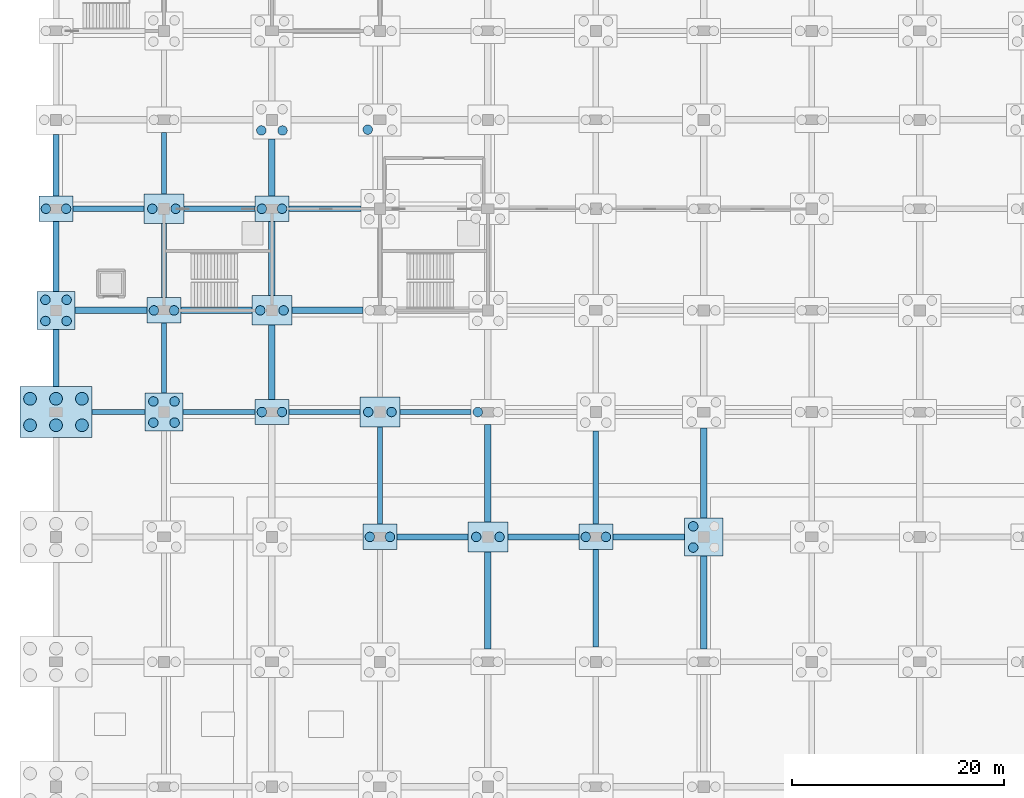
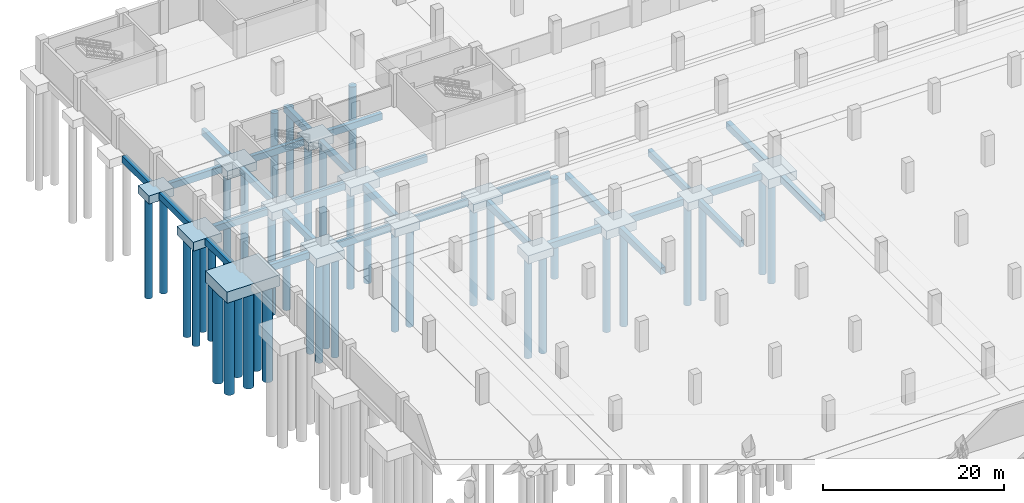
# One storey, part 6 of 52: 43 footings, 40 piles.
"""IFC4 building model written with IfcOpenShell, lengths in metres."""

from ifc_helpers import new_model, si_unit, direction, frame, origin, origin_2d, place, context, subcontext, project, spatial, polyline, rectangle, circle, outline, extrude, material, material_profile, profile_set, type_object, element, save


model = new_model("IFC4")

# Units and contexts
model_context = context("Model", 3, precision=1e-05, world=origin(), true_north=direction((0.0, 1.0)))
body_context = subcontext(model_context, "Body", "Model", "MODEL_VIEW")
ifc_project = project(units=[si_unit("LENGTHUNIT", "METRE"), si_unit("AREAUNIT", "SQUARE_METRE"), si_unit("VOLUMEUNIT", "CUBIC_METRE"), si_unit("PLANEANGLEUNIT", "RADIAN"), si_unit("MASSUNIT", "GRAM", prefix="KILO")], contexts=[model_context])

# Site, building, storey
site_placement = place(None, origin())
site = spatial("IfcSite", under=ifc_project, at=site_placement, CompositionType="ELEMENT")
building_placement = place(site_placement, origin())
building = spatial("IfcBuilding", under=site, at=building_placement, Name="Brelvane Convention Centre", CompositionType="ELEMENT")
storey_placement = place(building_placement, frame((0.0, 0.0, -4.5)))
storey = spatial("IfcBuildingStorey", under=building, at=storey_placement, Name="B1", CompositionType="ELEMENT", Elevation=-4.5)

# Piles
ifc_material_1 = material(Name="Concrete M40", Category="concrete")
ifc_material_profile_1 = material_profile(ifc_material_1, circle(Radius=0.60009765625, at=origin_2d()), Name="PILE D1200")
ifc_profile_set_1 = profile_set([ifc_material_profile_1], Name="Concrete M40")
pile_type_1 = type_object("IfcPileType", Name="Bored Pile PL-1200", PredefinedType="BORED", material=ifc_profile_set_1)
for number, where, z_axis, x_axis, name in (
    (1, (-2.449951171875, 98.35009765625, -1.85009765625), (0.0, 0.0, -1.0), (1.0, 0.0, 0.0), "Bored Pile PL-1200 1-K-1"),
    (2, (0.0, 98.35009765625, -1.85009765625), (0.0, 0.0, -1.0), (1.0, 0.0, 0.0), "Bored Pile PL-1200 1-K-2"),
    (3, (2.449951171875, 98.35009765625, -1.85009765625), (0.0, 0.0, -1.0), (1.0, 0.0, 0.0), "Bored Pile PL-1200 1-K-3"),
    (4, (-2.449951171875, 100.85009765625, -1.85009765625), (0.0, 0.0, -1.0), (1.0, 0.0, 0.0), "Bored Pile PL-1200 1-K-4"),
    (5, (0.0, 100.85009765625, -1.85009765625), (0.0, 0.0, -1.0), (1.0, 0.0, 0.0), "Bored Pile PL-1200 1-K-5"),
    (6, (2.449951171875, 100.85009765625, -1.85009765625), (0.0, 0.0, -1.0), (1.0, 0.0, 0.0), "Bored Pile PL-1200 1-K-6"),
):
    element("IfcPile", number, at=place(storey_placement, frame(where, z_axis=z_axis, x_axis=x_axis)), inside=storey, type_object=pile_type_1, Name=name, PredefinedType="BORED", context=body_context, shape_type="SweptSolid", body=[
        extrude(circle(Radius=0.60009765625, at=origin_2d()), origin(), (0.0, 0.0, 1.0), 13.14990234375),
    ])
ifc_material_2 = material(Name="Concrete M40", Category="concrete")
ifc_material_profile_2 = material_profile(ifc_material_2, circle(Radius=0.449951171875, at=origin_2d()), Name="PILE D900")
ifc_profile_set_2 = profile_set([ifc_material_profile_2], Name="Concrete M40")
pile_type_2 = type_object("IfcPileType", Name="Bored Pile PL-900", PredefinedType="BORED", material=ifc_profile_set_2)
for number, where, z_axis, x_axis, name in (
    (7, (-1.0, 108.199951171875, -1.550048828125), (0.0, 0.0, -1.0), (1.0, 0.0, 0.0), "Bored Pile PL-900 1-L-1"),
    (8, (1.0, 108.199951171875, -1.550048828125), (0.0, 0.0, -1.0), (1.0, 0.0, 0.0), "Bored Pile PL-900 1-L-2"),
    (9, (-1.0, 110.199951171875, -1.550048828125), (0.0, 0.0, -1.0), (1.0, 0.0, 0.0), "Bored Pile PL-900 1-L-3"),
    (10, (1.0, 110.199951171875, -1.550048828125), (0.0, 0.0, -1.0), (1.0, 0.0, 0.0), "Bored Pile PL-900 1-L-4"),
):
    element("IfcPile", number, at=place(storey_placement, frame(where, z_axis=z_axis, x_axis=x_axis)), inside=storey, type_object=pile_type_2, Name=name, PredefinedType="BORED", context=body_context, shape_type="SweptSolid", body=[
        extrude(circle(Radius=0.449951171875, at=origin_2d()), origin(), (0.0, 0.0, 1.0), 13.449951171875),
    ])
for number, where, z_axis, x_axis, name in (
    (11, (-0.949951171875, 118.800048828125, -1.449951171875), (0.0, 0.0, -1.0), (1.0, 0.0, 0.0), "Bored Pile PL-900 1-M-1"),
    (12, (0.949951171875, 118.800048828125, -1.449951171875), (0.0, 0.0, -1.0), (1.0, 0.0, 0.0), "Bored Pile PL-900 1-M-2"),
):
    element("IfcPile", number, at=place(storey_placement, frame(where, z_axis=z_axis, x_axis=x_axis)), inside=storey, type_object=pile_type_2, Name=name, PredefinedType="BORED", context=body_context, shape_type="SweptSolid", body=[
        extrude(circle(Radius=0.449951171875, at=origin_2d()), origin(), (0.0, 0.0, 1.0), 13.550048828125),
    ])
for number, where, z_axis, x_axis, name in (
    (13, (9.199951171875, 98.60009765625, -1.550048828125), (0.0, 0.0, -1.0), (1.0, 0.0, 0.0), "Bored Pile PL-900 2-K-1"),
    (14, (11.199951171875, 98.60009765625, -1.550048828125), (0.0, 0.0, -1.0), (1.0, 0.0, 0.0), "Bored Pile PL-900 2-K-2"),
    (15, (9.199951171875, 100.60009765625, -1.550048828125), (0.0, 0.0, -1.0), (1.0, 0.0, 0.0), "Bored Pile PL-900 2-K-3"),
    (16, (11.199951171875, 100.60009765625, -1.550048828125), (0.0, 0.0, -1.0), (1.0, 0.0, 0.0), "Bored Pile PL-900 2-K-4"),
):
    element("IfcPile", number, at=place(storey_placement, frame(where, z_axis=z_axis, x_axis=x_axis)), inside=storey, type_object=pile_type_2, Name=name, PredefinedType="BORED", context=body_context, shape_type="SweptSolid", body=[
        extrude(circle(Radius=0.449951171875, at=origin_2d()), origin(), (0.0, 0.0, 1.0), 13.449951171875),
    ])
for number, where, z_axis, x_axis, name in (
    (17, (9.25, 109.199951171875, -1.449951171875), (0.0, 0.0, -1.0), (1.0, 0.0, 0.0), "Bored Pile PL-900 2-L-1"),
    (18, (11.14990234375, 109.199951171875, -1.449951171875), (0.0, 0.0, -1.0), (1.0, 0.0, 0.0), "Bored Pile PL-900 2-L-2"),
):
    element("IfcPile", number, at=place(storey_placement, frame(where, z_axis=z_axis, x_axis=x_axis)), inside=storey, type_object=pile_type_2, Name=name, PredefinedType="BORED", context=body_context, shape_type="SweptSolid", body=[
        extrude(circle(Radius=0.449951171875, at=origin_2d()), origin(), (0.0, 0.0, 1.0), 13.550048828125),
    ])
for number, where, z_axis, x_axis, name in (
    (19, (9.10009765625, 118.800048828125, -1.5), (0.0, 0.0, -1.0), (1.0, 0.0, 0.0), "Bored Pile PL-900 2-M-1"),
    (20, (11.300048828125, 118.800048828125, -1.5), (0.0, 0.0, -1.0), (1.0, 0.0, 0.0), "Bored Pile PL-900 2-M-2"),
):
    element("IfcPile", number, at=place(storey_placement, frame(where, z_axis=z_axis, x_axis=x_axis)), inside=storey, type_object=pile_type_2, Name=name, PredefinedType="BORED", context=body_context, shape_type="SweptSolid", body=[
        extrude(circle(Radius=0.449951171875, at=origin_2d()), origin(), (0.0, 0.0, 1.0), 13.5),
    ])
for number, where, z_axis, x_axis, name in (
    (21, (19.449951171875, 99.60009765625, -1.449951171875), (0.0, 0.0, -1.0), (1.0, 0.0, 0.0), "Bored Pile PL-900 3-K-1"),
    (22, (21.35009765625, 99.60009765625, -1.449951171875), (0.0, 0.0, -1.0), (1.0, 0.0, 0.0), "Bored Pile PL-900 3-K-2"),
):
    element("IfcPile", number, at=place(storey_placement, frame(where, z_axis=z_axis, x_axis=x_axis)), inside=storey, type_object=pile_type_2, Name=name, PredefinedType="BORED", context=body_context, shape_type="SweptSolid", body=[
        extrude(circle(Radius=0.449951171875, at=origin_2d()), origin(), (0.0, 0.0, 1.0), 13.550048828125),
    ])
for number, where, z_axis, x_axis, name in (
    (23, (19.300048828125, 109.199951171875, -1.5), (0.0, 0.0, -1.0), (1.0, 0.0, 0.0), "Bored Pile PL-900 3-L-1"),
    (24, (21.5, 109.199951171875, -1.5), (0.0, 0.0, -1.0), (1.0, 0.0, 0.0), "Bored Pile PL-900 3-L-2"),
):
    element("IfcPile", number, at=place(storey_placement, frame(where, z_axis=z_axis, x_axis=x_axis)), inside=storey, type_object=pile_type_2, Name=name, PredefinedType="BORED", context=body_context, shape_type="SweptSolid", body=[
        extrude(circle(Radius=0.449951171875, at=origin_2d()), origin(), (0.0, 0.0, 1.0), 13.5),
    ])
for number, where, z_axis, x_axis, name in (
    (25, (19.449951171875, 118.800048828125, -1.449951171875), (0.0, 0.0, -1.0), (1.0, 0.0, 0.0), "Bored Pile PL-900 3-M-1"),
    (26, (21.35009765625, 118.800048828125, -1.449951171875), (0.0, 0.0, -1.0), (1.0, 0.0, 0.0), "Bored Pile PL-900 3-M-2"),
):
    element("IfcPile", number, at=place(storey_placement, frame(where, z_axis=z_axis, x_axis=x_axis)), inside=storey, type_object=pile_type_2, Name=name, PredefinedType="BORED", context=body_context, shape_type="SweptSolid", body=[
        extrude(circle(Radius=0.449951171875, at=origin_2d()), origin(), (0.0, 0.0, 1.0), 13.550048828125),
    ])
for number, where, z_axis, x_axis, name in (
    (27, (19.39990234375, 126.199951171875, -1.550048828125), (0.0, 0.0, -1.0), (1.0, 0.0, 0.0), "Bored Pile PL-900 3-N-1"),
    (28, (21.39990234375, 126.199951171875, -1.550048828125), (0.0, 0.0, -1.0), (1.0, 0.0, 0.0), "Bored Pile PL-900 3-N-2"),
):
    element("IfcPile", number, at=place(storey_placement, frame(where, z_axis=z_axis, x_axis=x_axis)), inside=storey, type_object=pile_type_2, Name=name, PredefinedType="BORED", context=body_context, shape_type="SweptSolid", body=[
        extrude(circle(Radius=0.449951171875, at=origin_2d()), origin(), (0.0, 0.0, 1.0), 13.449951171875),
    ])
for number, where, z_axis, x_axis, name in (
    (29, (29.64990234375, 87.800048828125, -1.449951171875), (0.0, 0.0, -1.0), (1.0, 0.0, 0.0), "Bored Pile PL-900 4-J-1"),
    (30, (31.550048828125, 87.800048828125, -1.449951171875), (0.0, 0.0, -1.0), (1.0, 0.0, 0.0), "Bored Pile PL-900 4-J-2"),
):
    element("IfcPile", number, at=place(storey_placement, frame(where, z_axis=z_axis, x_axis=x_axis)), inside=storey, type_object=pile_type_2, Name=name, PredefinedType="BORED", context=body_context, shape_type="SweptSolid", body=[
        extrude(circle(Radius=0.449951171875, at=origin_2d()), origin(), (0.0, 0.0, 1.0), 13.550048828125),
    ])
for number, where, z_axis, x_axis, name in (
    (31, (29.5, 99.60009765625, -1.5), (0.0, 0.0, -1.0), (1.0, 0.0, 0.0), "Bored Pile PL-900 4-K-1"),
    (32, (31.699951171875, 99.60009765625, -1.5), (0.0, 0.0, -1.0), (1.0, 0.0, 0.0), "Bored Pile PL-900 4-K-2"),
):
    element("IfcPile", number, at=place(storey_placement, frame(where, z_axis=z_axis, x_axis=x_axis)), inside=storey, type_object=pile_type_2, Name=name, PredefinedType="BORED", context=body_context, shape_type="SweptSolid", body=[
        extrude(circle(Radius=0.449951171875, at=origin_2d()), origin(), (0.0, 0.0, 1.0), 13.5),
    ])
pile_placement = place(storey_placement, frame((29.449951171875, 126.280029296875, -1.550048828125), z_axis=(0.0, 0.0, -1.0), x_axis=(1.0, 0.0, 0.0)))
element("IfcPile", 33, at=pile_placement, inside=storey, type_object=pile_type_2, Name="Bored Pile PL-900 4-N-1", PredefinedType="BORED", context=body_context, shape_type="SweptSolid", body=[
    extrude(circle(Radius=0.449951171875, at=origin_2d()), origin(), (0.0, 0.0, 1.0), 13.449951171875),
])
for number, where, z_axis, x_axis, name in (
    (34, (39.699951171875, 87.800048828125, -1.5), (0.0, 0.0, -1.0), (1.0, 0.0, 0.0), "Bored Pile PL-900 5-J-1"),
    (35, (41.89990234375, 87.800048828125, -1.5), (0.0, 0.0, -1.0), (1.0, 0.0, 0.0), "Bored Pile PL-900 5-J-2"),
):
    element("IfcPile", number, at=place(storey_placement, frame(where, z_axis=z_axis, x_axis=x_axis)), inside=storey, type_object=pile_type_2, Name=name, PredefinedType="BORED", context=body_context, shape_type="SweptSolid", body=[
        extrude(circle(Radius=0.449951171875, at=origin_2d()), origin(), (0.0, 0.0, 1.0), 13.5),
    ])
for number, where, z_axis, x_axis, name in (
    (36, (39.85009765625, 99.60009765625, -1.449951171875), (0.0, 0.0, -1.0), (1.0, 0.0, 0.0), "Bored Pile PL-900 5-K-1"),
    (37, (50.050048828125, 87.800048828125, -1.449951171875), (0.0, 0.0, -1.0), (1.0, 0.0, 0.0), "Bored Pile PL-900 6-J-1"),
    (38, (51.949951171875, 87.800048828125, -1.449951171875), (0.0, 0.0, -1.0), (1.0, 0.0, 0.0), "Bored Pile PL-900 6-J-2"),
):
    element("IfcPile", number, at=place(storey_placement, frame(where, z_axis=z_axis, x_axis=x_axis)), inside=storey, type_object=pile_type_2, Name=name, PredefinedType="BORED", context=body_context, shape_type="SweptSolid", body=[
        extrude(circle(Radius=0.449951171875, at=origin_2d()), origin(), (0.0, 0.0, 1.0), 13.550048828125),
    ])
for number, where, z_axis, x_axis, name in (
    (39, (60.199951171875, 86.800048828125, -1.550048828125), (0.0, 0.0, -1.0), (1.0, 0.0, 0.0), "Bored Pile PL-900 7-J-1"),
    (40, (60.199951171875, 88.800048828125, -1.550048828125), (0.0, 0.0, -1.0), (1.0, 0.0, 0.0), "Bored Pile PL-900 7-J-3"),
):
    element("IfcPile", number, at=place(storey_placement, frame(where, z_axis=z_axis, x_axis=x_axis)), inside=storey, type_object=pile_type_2, Name=name, PredefinedType="BORED", context=body_context, shape_type="SweptSolid", body=[
        extrude(circle(Radius=0.449951171875, at=origin_2d()), origin(), (0.0, 0.0, 1.0), 13.449951171875),
    ])

# Footings
ifc_material_3 = material(Name="Concrete M40", Category="concrete")
ifc_material_profile_3 = material_profile(ifc_material_3, rectangle(XDim=0.60009765625, YDim=0.89990234375, at=origin_2d()), Name="RC 600x900")
ifc_profile_set_3 = profile_set([ifc_material_profile_3], Name="Concrete M40")
footing_type_1 = type_object("IfcFootingType", Name="Ground Tie Beam GB-1", PredefinedType="FOOTING_BEAM", material=ifc_profile_set_3)
footing_1_placement = place(storey_placement, frame((0.0, 102.0, -0.89990234375), z_axis=(0.0, 1.0, 0.0), x_axis=(-1.0, 0.0, 0.0)))
element("IfcFooting", 41, at=footing_1_placement, inside=storey, type_object=footing_type_1, Name="Ground Tie Beam GB-1 1/K-L", PredefinedType="FOOTING_BEAM", context=body_context, shape_type="SweptSolid", body=[
    extrude(rectangle(XDim=0.60009765625, YDim=0.89990234375, at=origin_2d()), origin(), (0.0, 0.0, 1.0), 5.39990234375),
])
footing_2_placement = place(storey_placement, frame((1.800048828125, 109.199951171875, -0.89990234375), z_axis=(1.0, 0.0, 0.0), x_axis=(0.0, 1.0, 0.0)))
element("IfcFooting", 42, at=footing_2_placement, inside=storey, type_object=footing_type_1, Name="Ground Tie Beam GB-1 1-2/L", PredefinedType="FOOTING_BEAM", context=body_context, shape_type="SweptSolid", body=[
    extrude(rectangle(XDim=0.60009765625, YDim=0.89990234375, at=origin_2d()), origin(), (0.0, 0.0, 1.0), 6.800048828125),
])
footing_3_placement = place(storey_placement, frame((0.0, 111.0, -0.89990234375), z_axis=(0.0, 1.0, 0.0), x_axis=(-1.0, 0.0, 0.0)))
element("IfcFooting", 43, at=footing_3_placement, inside=storey, type_object=footing_type_1, Name="Ground Tie Beam GB-1 1/L-M", PredefinedType="FOOTING_BEAM", context=body_context, shape_type="SweptSolid", body=[
    extrude(rectangle(XDim=0.60009765625, YDim=0.89990234375, at=origin_2d()), origin(), (0.0, 0.0, 1.0), 6.60009765625),
])
footing_4_placement = place(storey_placement, frame((0.0, 120.0, -0.89990234375), z_axis=(0.0, 1.0, 0.0), x_axis=(-1.0, 0.0, 0.0)))
element("IfcFooting", 44, at=footing_4_placement, inside=storey, type_object=footing_type_1, Name="Ground Tie Beam GB-1 1/M-N", PredefinedType="FOOTING_BEAM", context=body_context, shape_type="SweptSolid", body=[
    extrude(rectangle(XDim=0.60009765625, YDim=0.89990234375, at=origin_2d()), origin(), (0.0, 0.0, 1.0), 5.800048828125),
])
footing_5_placement = place(storey_placement, frame((11.800048828125, 109.199951171875, -0.89990234375), z_axis=(1.0, 0.0, 0.0), x_axis=(0.0, 1.0, 0.0)))
element("IfcFooting", 45, at=footing_5_placement, inside=storey, type_object=footing_type_1, Name="Ground Tie Beam GB-1 2-3/L", PredefinedType="FOOTING_BEAM", context=body_context, shape_type="SweptSolid", body=[
    extrude(rectangle(XDim=0.60009765625, YDim=0.89990234375, at=origin_2d()), origin(), (0.0, 0.0, 1.0), 6.699951171875),
])
footing_6_placement = place(storey_placement, frame((20.39990234375, 100.800048828125, -0.89990234375), z_axis=(0.0, 1.0, 0.0), x_axis=(-1.0, 0.0, 0.0)))
element("IfcFooting", 46, at=footing_6_placement, inside=storey, type_object=footing_type_1, Name="Ground Tie Beam GB-1 3/K-L", PredefinedType="FOOTING_BEAM", context=body_context, shape_type="SweptSolid", body=[
    extrude(rectangle(XDim=0.60009765625, YDim=0.89990234375, at=origin_2d()), origin(), (0.0, 0.0, 1.0), 7.0),
])
footing_7_placement = place(storey_placement, frame((22.300048828125, 109.199951171875, -0.89990234375), z_axis=(1.0, 0.0, 0.0), x_axis=(0.0, 1.0, 0.0)))
element("IfcFooting", 47, at=footing_7_placement, inside=storey, type_object=footing_type_1, Name="Ground Tie Beam GB-1 3-4/L", PredefinedType="FOOTING_BEAM", context=body_context, shape_type="SweptSolid", body=[
    extrude(rectangle(XDim=0.60009765625, YDim=0.89990234375, at=origin_2d()), origin(), (0.0, 0.0, 1.0), 6.699951171875),
])
footing_8_placement = place(storey_placement, frame((20.39990234375, 110.60009765625, -0.89990234375), z_axis=(0.0, 1.0, 0.0), x_axis=(-1.0, 0.0, 0.0)))
element("IfcFooting", 48, at=footing_8_placement, inside=storey, type_object=footing_type_1, Name="Ground Tie Beam GB-1 3/L-M", PredefinedType="FOOTING_BEAM", context=body_context, shape_type="SweptSolid", body=[
    extrude(rectangle(XDim=0.60009765625, YDim=0.89990234375, at=origin_2d()), origin(), (0.0, 0.0, 1.0), 7.0),
])
footing_9_placement = place(storey_placement, frame((20.39990234375, 120.0, -0.89990234375), z_axis=(0.0, 1.0, 0.0), x_axis=(-1.0, 0.0, 0.0)))
element("IfcFooting", 49, at=footing_9_placement, inside=storey, type_object=footing_type_1, Name="Ground Tie Beam GB-1 3/M-N", PredefinedType="FOOTING_BEAM", context=body_context, shape_type="SweptSolid", body=[
    extrude(rectangle(XDim=0.60009765625, YDim=0.89990234375, at=origin_2d()), origin(), (0.0, 0.0, 1.0), 5.39990234375),
])
footing_10_placement = place(storey_placement, frame((32.199951171875, 87.800048828125, -0.89990234375), z_axis=(1.0, 0.0, 0.0), x_axis=(0.0, 1.0, 0.0)))
element("IfcFooting", 50, at=footing_10_placement, inside=storey, type_object=footing_type_1, Name="Ground Tie Beam GB-1 4-5/J", PredefinedType="FOOTING_BEAM", context=body_context, shape_type="SweptSolid", body=[
    extrude(rectangle(XDim=0.60009765625, YDim=0.89990234375, at=origin_2d()), origin(), (0.0, 0.0, 1.0), 6.699951171875),
])
footing_11_placement = place(storey_placement, frame((40.800048828125, 77.199951171875, -0.89990234375), z_axis=(0.0, 1.0, 0.0), x_axis=(-1.0, 0.0, 0.0)))
element("IfcFooting", 51, at=footing_11_placement, inside=storey, type_object=footing_type_1, Name="Ground Tie Beam GB-1 5/H-J", PredefinedType="FOOTING_BEAM", context=body_context, shape_type="SweptSolid", body=[
    extrude(rectangle(XDim=0.60009765625, YDim=0.89990234375, at=origin_2d()), origin(), (0.0, 0.0, 1.0), 9.199951171875),
])
footing_12_placement = place(storey_placement, frame((42.699951171875, 87.800048828125, -0.89990234375), z_axis=(1.0, 0.0, 0.0), x_axis=(0.0, 1.0, 0.0)))
element("IfcFooting", 52, at=footing_12_placement, inside=storey, type_object=footing_type_1, Name="Ground Tie Beam GB-1 5-6/J", PredefinedType="FOOTING_BEAM", context=body_context, shape_type="SweptSolid", body=[
    extrude(rectangle(XDim=0.60009765625, YDim=0.89990234375, at=origin_2d()), origin(), (0.0, 0.0, 1.0), 6.699951171875),
])
footing_13_placement = place(storey_placement, frame((40.800048828125, 89.199951171875, -0.89990234375), z_axis=(0.0, 1.0, 0.0), x_axis=(-1.0, 0.0, 0.0)))
element("IfcFooting", 53, at=footing_13_placement, inside=storey, type_object=footing_type_1, Name="Ground Tie Beam GB-1 5/J-K", PredefinedType="FOOTING_BEAM", context=body_context, shape_type="SweptSolid", body=[
    extrude(rectangle(XDim=0.60009765625, YDim=0.89990234375, at=origin_2d()), origin(), (0.0, 0.0, 1.0), 9.199951171875),
])
footing_14_placement = place(storey_placement, frame((52.60009765625, 87.800048828125, -0.89990234375), z_axis=(1.0, 0.0, 0.0), x_axis=(0.0, 1.0, 0.0)))
element("IfcFooting", 54, at=footing_14_placement, inside=storey, type_object=footing_type_1, Name="Ground Tie Beam GB-1 6-7/J", PredefinedType="FOOTING_BEAM", context=body_context, shape_type="SweptSolid", body=[
    extrude(rectangle(XDim=0.60009765625, YDim=0.89990234375, at=origin_2d()), origin(), (0.0, 0.0, 1.0), 6.7998046875),
])
footing_15_placement = place(storey_placement, frame((61.199951171875, 77.199951171875, -0.89990234375), z_axis=(0.0, 1.0, 0.0), x_axis=(-1.0, 0.0, 0.0)))
element("IfcFooting", 55, at=footing_15_placement, inside=storey, type_object=footing_type_1, Name="Ground Tie Beam GB-1 7/H-J", PredefinedType="FOOTING_BEAM", context=body_context, shape_type="SweptSolid", body=[
    extrude(rectangle(XDim=0.60009765625, YDim=0.89990234375, at=origin_2d()), origin(), (0.0, 0.0, 1.0), 8.800048828125),
])
footing_16_placement = place(storey_placement, frame((61.199951171875, 89.60009765625, -0.89990234375), z_axis=(0.0, 1.0, 0.0), x_axis=(-1.0, 0.0, 0.0)))
element("IfcFooting", 56, at=footing_16_placement, inside=storey, type_object=footing_type_1, Name="Ground Tie Beam GB-1 7/J-K", PredefinedType="FOOTING_BEAM", context=body_context, shape_type="SweptSolid", body=[
    extrude(rectangle(XDim=0.60009765625, YDim=0.89990234375, at=origin_2d()), origin(), (0.0, 0.0, 1.0), 8.5),
])
ifc_material_4 = material(Name="Concrete M40", Category="concrete")
ifc_material_profile_4 = material_profile(ifc_material_4, rectangle(XDim=0.5, YDim=0.89990234375, at=origin_2d()), Name="RC 500x900")
ifc_profile_set_4 = profile_set([ifc_material_profile_4], Name="Concrete M40")
footing_type_2 = type_object("IfcFootingType", Name="Ground Tie Beam GB-2", PredefinedType="FOOTING_BEAM", material=ifc_profile_set_4)
footing_17_placement = place(storey_placement, frame((3.39990234375, 99.60009765625, -0.89990234375), z_axis=(1.0, 0.0, 0.0), x_axis=(0.0, 1.0, 0.0)))
element("IfcFooting", 57, at=footing_17_placement, inside=storey, type_object=footing_type_2, Name="Ground Tie Beam GB-2 1-2/K", PredefinedType="FOOTING_BEAM", context=body_context, shape_type="SweptSolid", body=[
    extrude(rectangle(XDim=0.5, YDim=0.89990234375, at=origin_2d()), origin(), (0.0, 0.0, 1.0), 5.0),
])
footing_18_placement = place(storey_placement, frame((1.60009765625, 118.800048828125, -0.89990234375), z_axis=(1.0, 0.0, 0.0), x_axis=(0.0, 1.0, 0.0)))
element("IfcFooting", 58, at=footing_18_placement, inside=storey, type_object=footing_type_2, Name="Ground Tie Beam GB-2 1-2/M", PredefinedType="FOOTING_BEAM", context=body_context, shape_type="SweptSolid", body=[
    extrude(rectangle(XDim=0.5, YDim=0.89990234375, at=origin_2d()), origin(), (0.0, 0.0, 1.0), 6.699951171875),
])
footing_19_placement = place(storey_placement, frame((12.0, 99.60009765625, -0.89990234375), z_axis=(1.0, 0.0, 0.0), x_axis=(0.0, 1.0, 0.0)))
element("IfcFooting", 59, at=footing_19_placement, inside=storey, type_object=footing_type_2, Name="Ground Tie Beam GB-2 2-3/K", PredefinedType="FOOTING_BEAM", context=body_context, shape_type="SweptSolid", body=[
    extrude(rectangle(XDim=0.5, YDim=0.89990234375, at=origin_2d()), origin(), (0.0, 0.0, 1.0), 6.800048828125),
])
footing_20_placement = place(storey_placement, frame((10.199951171875, 101.39990234375, -0.89990234375), z_axis=(0.0, 1.0, 0.0), x_axis=(-1.0, 0.0, 0.0)))
element("IfcFooting", 60, at=footing_20_placement, inside=storey, type_object=footing_type_2, Name="Ground Tie Beam GB-2 2/K-L", PredefinedType="FOOTING_BEAM", context=body_context, shape_type="SweptSolid", body=[
    extrude(rectangle(XDim=0.5, YDim=0.89990234375, at=origin_2d()), origin(), (0.0, 0.0, 1.0), 6.60009765625),
])
footing_21_placement = place(storey_placement, frame((10.199951171875, 110.39990234375, -0.89990234375), z_axis=(0.0, 1.0, 0.0), x_axis=(-1.0, 0.0, 0.0)))
element("IfcFooting", 61, at=footing_21_placement, inside=storey, type_object=footing_type_2, Name="Ground Tie Beam GB-2 2/L-M", PredefinedType="FOOTING_BEAM", context=body_context, shape_type="SweptSolid", body=[
    extrude(rectangle(XDim=0.5, YDim=0.89990234375, at=origin_2d()), origin(), (0.0, 0.0, 1.0), 7.0),
])
footing_22_placement = place(storey_placement, frame((12.10009765625, 118.800048828125, -0.89990234375), z_axis=(1.0, 0.0, 0.0), x_axis=(0.0, 1.0, 0.0)))
element("IfcFooting", 62, at=footing_22_placement, inside=storey, type_object=footing_type_2, Name="Ground Tie Beam GB-2 2-3/M", PredefinedType="FOOTING_BEAM", context=body_context, shape_type="SweptSolid", body=[
    extrude(rectangle(XDim=0.5, YDim=0.89990234375, at=origin_2d()), origin(), (0.0, 0.0, 1.0), 6.699951171875),
])
footing_23_placement = place(storey_placement, frame((10.199951171875, 120.199951171875, -0.89990234375), z_axis=(0.0, 1.0, 0.0), x_axis=(-1.0, 0.0, 0.0)))
element("IfcFooting", 63, at=footing_23_placement, inside=storey, type_object=footing_type_2, Name="Ground Tie Beam GB-2 2/M-N", PredefinedType="FOOTING_BEAM", context=body_context, shape_type="SweptSolid", body=[
    extrude(rectangle(XDim=0.5, YDim=0.89990234375, at=origin_2d()), origin(), (0.0, 0.0, 1.0), 5.800048828125),
])
footing_24_placement = place(storey_placement, frame((22.0, 99.60009765625, -0.89990234375), z_axis=(1.0, 0.0, 0.0), x_axis=(0.0, 1.0, 0.0)))
element("IfcFooting", 64, at=footing_24_placement, inside=storey, type_object=footing_type_2, Name="Ground Tie Beam GB-2 3-4/K", PredefinedType="FOOTING_BEAM", context=body_context, shape_type="SweptSolid", body=[
    extrude(rectangle(XDim=0.5, YDim=0.89990234375, at=origin_2d()), origin(), (0.0, 0.0, 1.0), 6.699951171875),
])
footing_25_placement = place(storey_placement, frame((22.0, 118.800048828125, -0.89990234375), z_axis=(1.0, 0.0, 0.0), x_axis=(0.0, 1.0, 0.0)))
element("IfcFooting", 65, at=footing_25_placement, inside=storey, type_object=footing_type_2, Name="Ground Tie Beam GB-2 3-4/M", PredefinedType="FOOTING_BEAM", context=body_context, shape_type="SweptSolid", body=[
    extrude(rectangle(XDim=0.5, YDim=0.89990234375, at=origin_2d()), origin(), (0.0, 0.0, 1.0), 6.800048828125),
])
footing_26_placement = place(storey_placement, frame((30.60009765625, 89.0, -0.89990234375), z_axis=(0.0, 1.0, 0.0), x_axis=(-1.0, 0.0, 0.0)))
element("IfcFooting", 66, at=footing_26_placement, inside=storey, type_object=footing_type_2, Name="Ground Tie Beam GB-2 4/J-K", PredefinedType="FOOTING_BEAM", context=body_context, shape_type="SweptSolid", body=[
    extrude(rectangle(XDim=0.5, YDim=0.89990234375, at=origin_2d()), origin(), (0.0, 0.0, 1.0), 9.199951171875),
])
footing_27_placement = place(storey_placement, frame((32.5, 99.60009765625, -0.89990234375), z_axis=(1.0, 0.0, 0.0), x_axis=(0.0, 1.0, 0.0)))
element("IfcFooting", 67, at=footing_27_placement, inside=storey, type_object=footing_type_2, Name="Ground Tie Beam GB-2 4-5/K", PredefinedType="FOOTING_BEAM", context=body_context, shape_type="SweptSolid", body=[
    extrude(rectangle(XDim=0.5, YDim=0.89990234375, at=origin_2d()), origin(), (0.0, 0.0, 1.0), 6.699951171875),
])
footing_28_placement = place(storey_placement, frame((51.0, 77.39990234375, -0.89990234375), z_axis=(0.0, 1.0, 0.0), x_axis=(-1.0, 0.0, 0.0)))
element("IfcFooting", 68, at=footing_28_placement, inside=storey, type_object=footing_type_2, Name="Ground Tie Beam GB-2 6/H-J", PredefinedType="FOOTING_BEAM", context=body_context, shape_type="SweptSolid", body=[
    extrude(rectangle(XDim=0.5, YDim=0.89990234375, at=origin_2d()), origin(), (0.0, 0.0, 1.0), 9.2001953125),
])
footing_29_placement = place(storey_placement, frame((51.0, 89.0, -0.89990234375), z_axis=(0.0, 1.0, 0.0), x_axis=(-1.0, 0.0, 0.0)))
element("IfcFooting", 69, at=footing_29_placement, inside=storey, type_object=footing_type_2, Name="Ground Tie Beam GB-2 6/J-K", PredefinedType="FOOTING_BEAM", context=body_context, shape_type="SweptSolid", body=[
    extrude(rectangle(XDim=0.5, YDim=0.89990234375, at=origin_2d()), origin(), (0.0, 0.0, 1.0), 8.800048828125),
])
ifc_material_5 = material(Name="Concrete M40", Category="concrete")
footing_type_3 = type_object("IfcFootingType", Name="Pile Cap PC-2", PredefinedType="PILE_CAP", material=ifc_material_5)
footing_30_placement = place(storey_placement, frame((0.0, 0.0, -1.550048828125)))
element("IfcFooting", 70, at=footing_30_placement, inside=storey, type_object=footing_type_3, Name="Pile Cap PC-2 at 1-M", PredefinedType="PILE_CAP", context=body_context, shape_type="SweptSolid", body=[
    extrude(outline(polyline([(-1.60009765625, 117.60009765625), (1.60009765625, 117.60009765625), (1.60009765625, 120.0), (-1.60009765625, 120.0), (-1.60009765625, 117.60009765625)])), origin(), (0.0, 0.0, 1.0), 1.10009765625),
])
footing_31_placement = place(storey_placement, frame((0.0, 0.0, -1.550048828125)))
element("IfcFooting", 71, at=footing_31_placement, inside=storey, type_object=footing_type_3, Name="Pile Cap PC-2 at 2-L", PredefinedType="PILE_CAP", context=body_context, shape_type="SweptSolid", body=[
    extrude(outline(polyline([(8.60009765625, 108.0), (11.800048828125, 108.0), (11.800048828125, 110.39990234375), (8.60009765625, 110.39990234375), (8.60009765625, 108.0)])), origin(), (0.0, 0.0, 1.0), 1.10009765625),
])
footing_32_placement = place(storey_placement, frame((0.0, 0.0, -1.550048828125)))
element("IfcFooting", 72, at=footing_32_placement, inside=storey, type_object=footing_type_3, Name="Pile Cap PC-2 at 3-K", PredefinedType="PILE_CAP", context=body_context, shape_type="SweptSolid", body=[
    extrude(outline(polyline([(18.800048828125, 98.39990234375), (22.0, 98.39990234375), (22.0, 100.800048828125), (18.800048828125, 100.800048828125), (18.800048828125, 98.39990234375)])), origin(), (0.0, 0.0, 1.0), 1.10009765625),
])
footing_33_placement = place(storey_placement, frame((0.0, 0.0, -1.550048828125)))
element("IfcFooting", 73, at=footing_33_placement, inside=storey, type_object=footing_type_3, Name="Pile Cap PC-2 at 3-M", PredefinedType="PILE_CAP", context=body_context, shape_type="SweptSolid", body=[
    extrude(outline(polyline([(18.800048828125, 117.60009765625), (22.0, 117.60009765625), (22.0, 120.0), (18.800048828125, 120.0), (18.800048828125, 117.60009765625)])), origin(), (0.0, 0.0, 1.0), 1.10009765625),
])
footing_34_placement = place(storey_placement, frame((0.0, 0.0, -1.550048828125)))
element("IfcFooting", 74, at=footing_34_placement, inside=storey, type_object=footing_type_3, Name="Pile Cap PC-2 at 4-J", PredefinedType="PILE_CAP", context=body_context, shape_type="SweptSolid", body=[
    extrude(outline(polyline([(29.0, 86.60009765625), (32.199951171875, 86.60009765625), (32.199951171875, 89.0), (29.0, 89.0), (29.0, 86.60009765625)])), origin(), (0.0, 0.0, 1.0), 1.10009765625),
])
footing_35_placement = place(storey_placement, frame((0.0, 0.0, -1.550048828125)))
element("IfcFooting", 75, at=footing_35_placement, inside=storey, type_object=footing_type_3, Name="Pile Cap PC-2 at 6-J", PredefinedType="PILE_CAP", context=body_context, shape_type="SweptSolid", body=[
    extrude(outline(polyline([(49.39990234375, 86.60009765625), (52.60009765625, 86.60009765625), (52.60009765625, 89.0), (49.39990234375, 89.0), (49.39990234375, 86.60009765625)])), origin(), (0.0, 0.0, 1.0), 1.10009765625),
])
ifc_material_6 = material(Name="Concrete M40", Category="concrete")
footing_type_4 = type_object("IfcFootingType", Name="Pile Cap PC-3", PredefinedType="PILE_CAP", material=ifc_material_6)
footing_36_placement = place(storey_placement, frame((0.0, 0.0, -1.64990234375)))
element("IfcFooting", 76, at=footing_36_placement, inside=storey, type_object=footing_type_4, Name="Pile Cap PC-3 at 1-L", PredefinedType="PILE_CAP", context=body_context, shape_type="SweptSolid", body=[
    extrude(outline(polyline([(-1.800048828125, 107.39990234375), (1.800048828125, 107.39990234375), (1.800048828125, 111.0), (-1.800048828125, 111.0), (-1.800048828125, 107.39990234375)])), origin(), (0.0, 0.0, 1.0), 1.199951171875),
])
footing_37_placement = place(storey_placement, frame((0.0, 0.0, -1.64990234375)))
element("IfcFooting", 77, at=footing_37_placement, inside=storey, type_object=footing_type_4, Name="Pile Cap PC-3 at 2-K", PredefinedType="PILE_CAP", context=body_context, shape_type="SweptSolid", body=[
    extrude(outline(polyline([(8.39990234375, 97.800048828125), (12.0, 97.800048828125), (12.0, 101.39990234375), (8.39990234375, 101.39990234375), (8.39990234375, 97.800048828125)])), origin(), (0.0, 0.0, 1.0), 1.199951171875),
])
footing_38_placement = place(storey_placement, frame((0.0, 0.0, -1.64990234375)))
element("IfcFooting", 78, at=footing_38_placement, inside=storey, type_object=footing_type_4, Name="Pile Cap PC-3 at 7-J", PredefinedType="PILE_CAP", context=body_context, shape_type="SweptSolid", body=[
    extrude(outline(polyline([(59.39990234375, 86.0), (63.0, 86.0), (63.0, 89.60009765625), (59.39990234375, 89.60009765625), (59.39990234375, 86.0)])), origin(), (0.0, 0.0, 1.0), 1.199951171875),
])
ifc_material_7 = material(Name="Concrete M40", Category="concrete")
footing_type_5 = type_object("IfcFootingType", Name="Pile Cap PC-8", PredefinedType="PILE_CAP", material=ifc_material_7)
footing_39_placement = place(storey_placement, frame((0.0, 0.0, -1.949951171875)))
element("IfcFooting", 79, at=footing_39_placement, inside=storey, type_object=footing_type_5, Name="Pile Cap PC-8 at 1-K", PredefinedType="PILE_CAP", context=body_context, shape_type="SweptSolid", body=[
    extrude(outline(polyline([(-3.39990234375, 97.199951171875), (3.39990234375, 97.199951171875), (3.39990234375, 102.0), (-3.39990234375, 102.0), (-3.39990234375, 97.199951171875)])), origin(), (0.0, 0.0, 1.0), 1.5),
])
ifc_material_8 = material(Name="Concrete M40", Category="concrete")
footing_type_6 = type_object("IfcFootingType", Name="Pile Cap PC-9", PredefinedType="PILE_CAP", material=ifc_material_8)
footing_40_placement = place(storey_placement, frame((0.0, 0.0, -1.60009765625)))
element("IfcFooting", 80, at=footing_40_placement, inside=storey, type_object=footing_type_6, Name="Pile Cap PC-9 at 2-M", PredefinedType="PILE_CAP", context=body_context, shape_type="SweptSolid", body=[
    extrude(outline(polyline([(8.300048828125, 117.39990234375), (12.10009765625, 117.39990234375), (12.10009765625, 120.199951171875), (8.300048828125, 120.199951171875), (8.300048828125, 117.39990234375)])), origin(), (0.0, 0.0, 1.0), 1.150146484375),
])
footing_41_placement = place(storey_placement, frame((0.0, 0.0, -1.60009765625)))
element("IfcFooting", 81, at=footing_41_placement, inside=storey, type_object=footing_type_6, Name="Pile Cap PC-9 at 3-L", PredefinedType="PILE_CAP", context=body_context, shape_type="SweptSolid", body=[
    extrude(outline(polyline([(18.5, 107.800048828125), (22.300048828125, 107.800048828125), (22.300048828125, 110.60009765625), (18.5, 110.60009765625), (18.5, 107.800048828125)])), origin(), (0.0, 0.0, 1.0), 1.150146484375),
])
footing_42_placement = place(storey_placement, frame((0.0, 0.0, -1.60009765625)))
element("IfcFooting", 82, at=footing_42_placement, inside=storey, type_object=footing_type_6, Name="Pile Cap PC-9 at 4-K", PredefinedType="PILE_CAP", context=body_context, shape_type="SweptSolid", body=[
    extrude(outline(polyline([(28.699951171875, 98.199951171875), (32.5, 98.199951171875), (32.5, 101.0), (28.699951171875, 101.0), (28.699951171875, 98.199951171875)])), origin(), (0.0, 0.0, 1.0), 1.150146484375),
])
footing_43_placement = place(storey_placement, frame((0.0, 0.0, -1.60009765625)))
element("IfcFooting", 83, at=footing_43_placement, inside=storey, type_object=footing_type_6, Name="Pile Cap PC-9 at 5-J", PredefinedType="PILE_CAP", context=body_context, shape_type="SweptSolid", body=[
    extrude(outline(polyline([(38.89990234375, 86.39990234375), (42.699951171875, 86.39990234375), (42.699951171875, 89.199951171875), (38.89990234375, 89.199951171875), (38.89990234375, 86.39990234375)])), origin(), (0.0, 0.0, 1.0), 1.150146484375),
])

save(model, "model.ifc")
